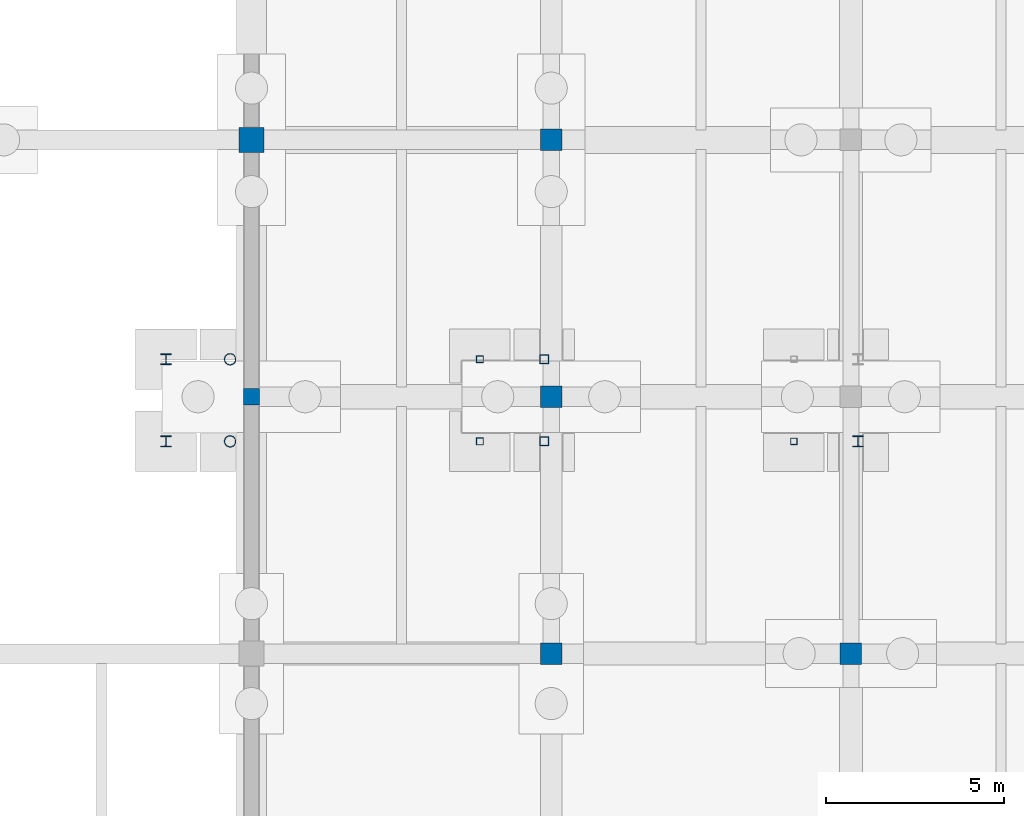
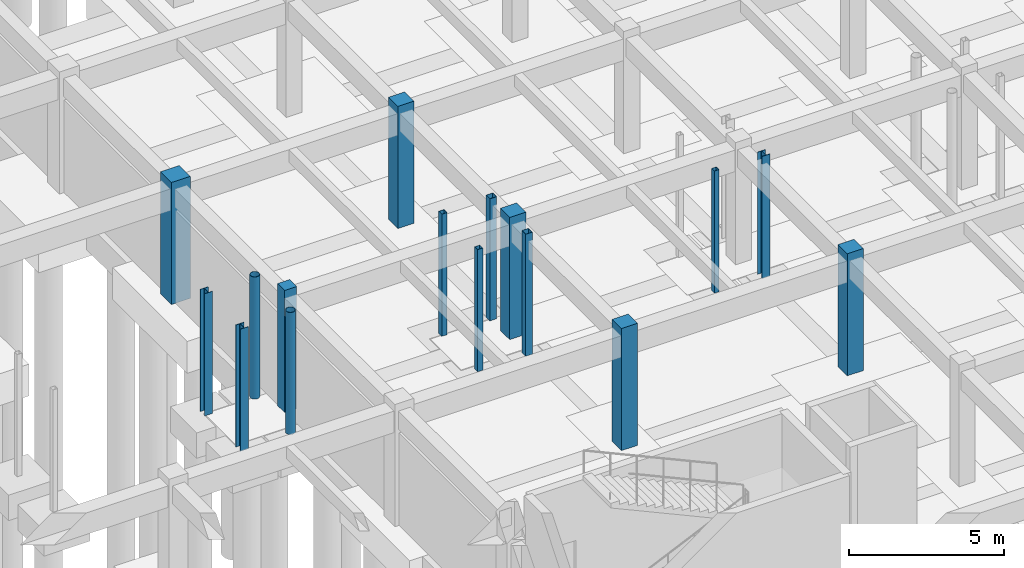
# One storey, part 27 of 80: 16 columns.
"""IFC4 building model written with IfcOpenShell, lengths in metres."""

from ifc_helpers import new_model, si_unit, direction, frame, origin, origin_2d, place, context, subcontext, project, spatial, rectangle, hollow_rectangle, hollow_circle, i_section, extrude, material, material_profile, profile_set, type_object, element, save


model = new_model("IFC4")

# Units and contexts
model_context = context("Model", 3, precision=1e-05, world=origin(), true_north=direction((0.0, 1.0)))
body_context = subcontext(model_context, "Body", "Model", "MODEL_VIEW")
ifc_project = project(units=[si_unit("LENGTHUNIT", "METRE"), si_unit("AREAUNIT", "SQUARE_METRE"), si_unit("VOLUMEUNIT", "CUBIC_METRE"), si_unit("PLANEANGLEUNIT", "RADIAN"), si_unit("MASSUNIT", "GRAM", prefix="KILO")], contexts=[model_context])

# Site, building, storey
site_placement = place(None, origin())
site = spatial("IfcSite", under=ifc_project, at=site_placement, CompositionType="ELEMENT")
building_placement = place(site_placement, origin())
building = spatial("IfcBuilding", under=site, at=building_placement, Name="Malvenik Polytechnic", CompositionType="ELEMENT")
storey_placement = place(building_placement, frame((0.0, 0.0, -4.800048828125)))
storey = spatial("IfcBuildingStorey", under=building, at=storey_placement, Name="B1", CompositionType="ELEMENT", Elevation=-4.800048828125)

# Columns
ifc_material_1 = material(Name="Concrete C40/50", Category="concrete")
ifc_material_profile_1 = material_profile(ifc_material_1, rectangle(XDim=0.699951171875, YDim=0.699951171875, at=origin_2d()), Name="RC COL 700x700")
ifc_profile_set_1 = profile_set([ifc_material_profile_1], Name="Concrete C40/50")
column_type_1 = type_object("IfcColumnType", Name="STR-COL-C-04", PredefinedType="COLUMN", material=ifc_profile_set_1)
column_1_placement = place(storey_placement, frame((33.60009765625, 79.199951171875, 0.0), z_axis=(0.0, 0.0, 1.0), x_axis=(1.0, 0.0, 0.0)))
element("IfcColumn", 1, at=column_1_placement, inside=storey, type_object=column_type_1, Name="Column C-04 B1 (33.6,79.2)", PredefinedType="COLUMN", context=body_context, shape_type="SweptSolid", body=[
    extrude(rectangle(XDim=0.699951171875, YDim=0.699951171875, at=origin_2d()), origin(), (0.0, 0.0, 1.0), 4.800048828125),
])
ifc_material_2 = material(Name="Concrete C35/45", Category="concrete")
ifc_material_profile_2 = material_profile(ifc_material_2, rectangle(XDim=0.60009765625, YDim=0.60009765625, at=origin_2d()), Name="RC COL 600x600")
ifc_profile_set_2 = profile_set([ifc_material_profile_2], Name="Concrete C35/45")
column_type_2 = type_object("IfcColumnType", Name="STR-COL-C-06", PredefinedType="COLUMN", material=ifc_profile_set_2)
for number, where, z_axis, x_axis, name in (
    (2, (42.0, 64.800048828125, 0.0), (0.0, 0.0, 1.0), (1.0, 0.0, 0.0), "Column C-06 B1 (42.0,64.8)"),
    (3, (42.0, 72.0, 0.0), (0.0, 0.0, 1.0), (1.0, 0.0, 0.0), "Column C-06 B1 (42.0,72.0)"),
    (4, (42.0, 79.199951171875, 0.0), (0.0, 0.0, 1.0), (1.0, 0.0, 0.0), "Column C-06 B1 (42.0,79.2)"),
    (5, (50.39990234375, 64.800048828125, 0.0), (0.0, 0.0, 1.0), (1.0, 0.0, 0.0), "Column C-06 B1 (50.4,64.8)"),
):
    element("IfcColumn", number, at=place(storey_placement, frame(where, z_axis=z_axis, x_axis=x_axis)), inside=storey, type_object=column_type_2, Name=name, PredefinedType="COLUMN", context=body_context, shape_type="SweptSolid", body=[
        extrude(rectangle(XDim=0.60009765625, YDim=0.60009765625, at=origin_2d()), origin(), (0.0, 0.0, 1.0), 4.800048828125),
    ])
ifc_material_profile_3 = material_profile(ifc_material_2, rectangle(XDim=0.449951171875, YDim=0.449951171875, at=origin_2d()), Name="RC COL 450x450")
ifc_profile_set_3 = profile_set([ifc_material_profile_3], Name="Concrete C35/45")
column_type_3 = type_object("IfcColumnType", Name="STR-COL-C-09", PredefinedType="COLUMN", material=ifc_profile_set_3)
column_2_placement = place(storey_placement, frame((33.60009765625, 72.0, 0.0), z_axis=(0.0, 0.0, 1.0), x_axis=(1.0, 0.0, 0.0)))
element("IfcColumn", 6, at=column_2_placement, inside=storey, type_object=column_type_3, Name="Column C-09 B1 (33.6,72.0)", PredefinedType="COLUMN", context=body_context, shape_type="SweptSolid", body=[
    extrude(rectangle(XDim=0.449951171875, YDim=0.449951171875, at=origin_2d()), origin(), (0.0, 0.0, 1.0), 4.800048828125),
])
ifc_material_3 = material(Name="Steel S355J2H", Category="steel")
ifc_material_profile_4 = material_profile(ifc_material_3, hollow_rectangle(XDim=0.25, YDim=0.25, WallThickness=0.010009765625, at=origin_2d()), Name="SHS 250x250x10.0")
ifc_profile_set_4 = profile_set([ifc_material_profile_4], Name="Steel S355J2H")
column_type_4 = type_object("IfcColumnType", Name="STR-SCOL-SC-01", PredefinedType="COLUMN", material=ifc_profile_set_4)
for number, where, z_axis, x_axis, name in (
    (7, (41.800048828125, 70.75, 0.0), (0.0, 0.0, 1.0), (1.0, 0.0, 0.0), "Bridge-Ramp Support Column SC-01 B1"),
    (8, (41.800048828125, 73.050048828125, 0.0), (0.0, 0.0, 1.0), (1.0, 0.0, 0.0), "Bridge-Ramp Support Column SC-01 B1"),
):
    element("IfcColumn", number, at=place(storey_placement, frame(where, z_axis=z_axis, x_axis=x_axis)), inside=storey, type_object=column_type_4, Name=name, PredefinedType="COLUMN", context=body_context, shape_type="SweptSolid", body=[
        extrude(hollow_rectangle(XDim=0.25, YDim=0.25, WallThickness=0.010009765625, at=origin_2d()), origin(), (0.0, 0.0, 1.0), 4.800048828125),
    ])
ifc_material_profile_5 = material_profile(ifc_material_3, hollow_rectangle(XDim=0.199951171875, YDim=0.199951171875, WallThickness=0.010009765625, at=origin_2d()), Name="SHS 200x200x10.0")
ifc_profile_set_5 = profile_set([ifc_material_profile_5], Name="Steel S355J2H")
column_type_5 = type_object("IfcColumnType", Name="STR-SCOL-SC-02", PredefinedType="COLUMN", material=ifc_profile_set_5)
for number, where, z_axis, x_axis, name in (
    (9, (40.0, 70.75, 0.0), (0.0, 0.0, 1.0), (1.0, 0.0, 0.0), "Bridge-Ramp Support Column SC-02 B1"),
    (10, (40.0, 73.050048828125, 0.0), (0.0, 0.0, 1.0), (1.0, 0.0, 0.0), "Bridge-Ramp Support Column SC-02 B1"),
):
    element("IfcColumn", number, at=place(storey_placement, frame(where, z_axis=z_axis, x_axis=x_axis)), inside=storey, type_object=column_type_5, Name=name, PredefinedType="COLUMN", context=body_context, shape_type="SweptSolid", body=[
        extrude(hollow_rectangle(XDim=0.199951171875, YDim=0.199951171875, WallThickness=0.010009765625, at=origin_2d()), origin(), (0.0, 0.0, 1.0), 4.800048828125),
    ])
ifc_material_profile_6 = material_profile(ifc_material_3, hollow_circle(Radius=0.161865234375, WallThickness=0.012451171875, at=origin_2d()), Name="CHS 323.9x12.5")
ifc_profile_set_6 = profile_set([ifc_material_profile_6], Name="Steel S355J2H")
column_type_6 = type_object("IfcColumnType", Name="STR-SCOL-SC-04", PredefinedType="COLUMN", material=ifc_profile_set_6)
for number, where, z_axis, x_axis, name in (
    (11, (33.0, 70.75, 0.0), (0.0, 0.0, 1.0), (1.0, 0.0, 0.0), "Bridge-Ramp Support Column SC-04 B1"),
    (12, (33.0, 73.050048828125, 0.0), (0.0, 0.0, 1.0), (1.0, 0.0, 0.0), "Bridge-Ramp Support Column SC-04 B1"),
):
    element("IfcColumn", number, at=place(storey_placement, frame(where, z_axis=z_axis, x_axis=x_axis)), inside=storey, type_object=column_type_6, Name=name, PredefinedType="COLUMN", context=body_context, shape_type="SweptSolid", body=[
        extrude(hollow_circle(Radius=0.161865234375, WallThickness=0.012451171875, at=origin_2d()), origin(), (0.0, 0.0, 1.0), 4.800048828125),
    ])
ifc_material_4 = material(Name="Steel S355", Category="steel")
ifc_material_profile_7 = material_profile(ifc_material_4, i_section(OverallWidth=0.300048828125, OverallDepth=0.300048828125, WebThickness=0.010986328125, FlangeThickness=0.01904296875, FilletRadius=0.027099609375, at=origin_2d()), Name="HEB 300")
ifc_profile_set_7 = profile_set([ifc_material_profile_7], Name="Steel S355")
column_type_7 = type_object("IfcColumnType", Name="STR-SCOL-SC-05", PredefinedType="COLUMN", material=ifc_profile_set_7)
for number, where, z_axis, x_axis, name in (
    (13, (50.60009765625, 70.75, 0.0), (0.0, 0.0, 1.0), (1.0, 0.0, 0.0), "Bridge-Ramp Support Column SC-05 B1"),
    (14, (31.199951171875, 70.75, 0.0), (0.0, 0.0, 1.0), (1.0, 0.0, 0.0), "Bridge-Ramp Support Column SC-05 B1"),
    (15, (31.199951171875, 73.050048828125, 0.0), (0.0, 0.0, 1.0), (1.0, 0.0, 0.0), "Bridge-Ramp Support Column SC-05 B1"),
):
    element("IfcColumn", number, at=place(storey_placement, frame(where, z_axis=z_axis, x_axis=x_axis)), inside=storey, type_object=column_type_7, Name=name, PredefinedType="COLUMN", context=body_context, shape_type="SweptSolid", body=[
        extrude(i_section(OverallWidth=0.300048828125, OverallDepth=0.300048828125, WebThickness=0.010986328125, FlangeThickness=0.01904296875, FilletRadius=0.027099609375, at=origin_2d()), origin(), (0.0, 0.0, 1.0), 4.800048828125),
    ])
ifc_material_profile_8 = material_profile(ifc_material_3, hollow_rectangle(XDim=0.179931640625, YDim=0.179931640625, WallThickness=0.008056640625, at=origin_2d()), Name="SHS 180x180x8.0")
ifc_profile_set_8 = profile_set([ifc_material_profile_8], Name="Steel S355J2H")
column_type_8 = type_object("IfcColumnType", Name="STR-SCOL-SC-06", PredefinedType="COLUMN", material=ifc_profile_set_8)
column_3_placement = place(storey_placement, frame((48.800048828125, 70.75, 0.0), z_axis=(0.0, 0.0, 1.0), x_axis=(1.0, 0.0, 0.0)))
element("IfcColumn", 16, at=column_3_placement, inside=storey, type_object=column_type_8, Name="Bridge-Ramp Support Column SC-06 B1", PredefinedType="COLUMN", context=body_context, shape_type="SweptSolid", body=[
    extrude(hollow_rectangle(XDim=0.179931640625, YDim=0.179931640625, WallThickness=0.008056640625, at=origin_2d()), origin(), (0.0, 0.0, 1.0), 4.800048828125),
])

save(model, "model.ifc")
